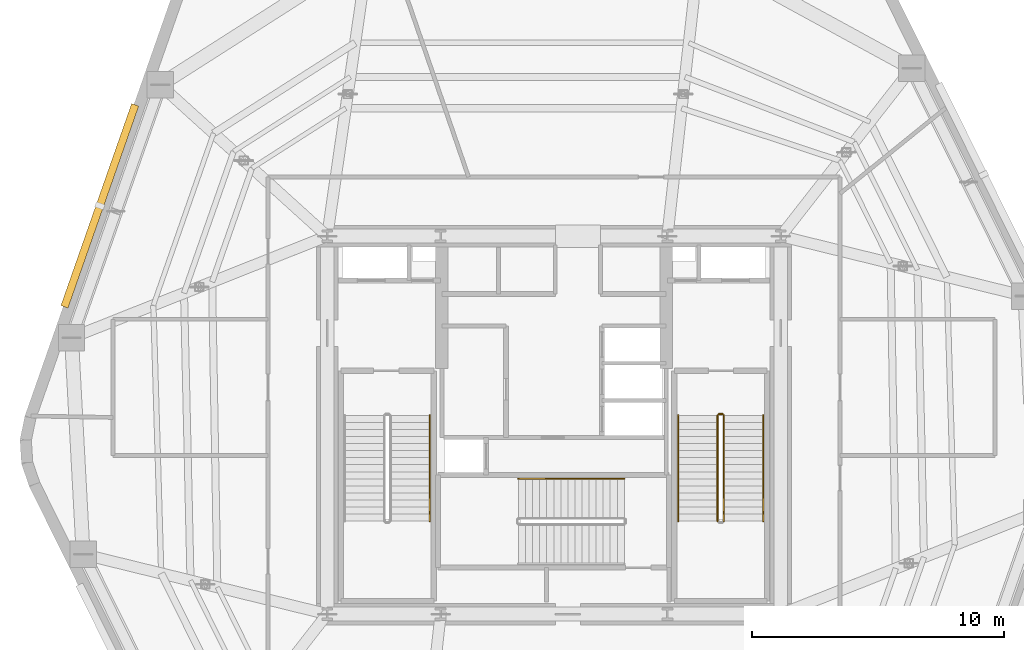
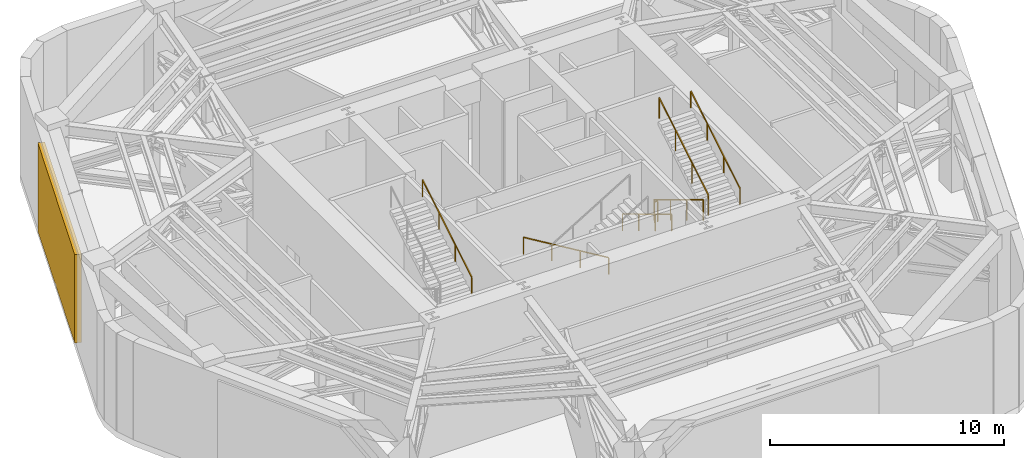
# One storey, part 9 of 10: 7 railings, 1 shading device.
"""IFC4 building model written with IfcOpenShell, lengths in metres."""

from ifc_helpers import new_model, si_unit, direction, frame, origin, origin_2d, place, context, subcontext, project, spatial, rectangle, extrude, material, layer, layer_set, type_object, element, save


model = new_model("IFC4")

# Units and contexts
model_context = context("Model", 3, precision=1e-05, world=origin(), true_north=direction((0.0, 1.0)))
body_context = subcontext(model_context, "Body", "Model", "MODEL_VIEW")
ifc_project = project(units=[si_unit("LENGTHUNIT", "METRE"), si_unit("AREAUNIT", "SQUARE_METRE"), si_unit("VOLUMEUNIT", "CUBIC_METRE"), si_unit("PLANEANGLEUNIT", "RADIAN"), si_unit("MASSUNIT", "GRAM", prefix="KILO")], contexts=[model_context])

# Site, building, storey
site_placement = place(None, origin())
site = spatial("IfcSite", under=ifc_project, at=site_placement, CompositionType="ELEMENT")
building_placement = place(site_placement, origin())
building = spatial("IfcBuilding", under=site, at=building_placement, Name="Kilnhurst Terrace Hotel", CompositionType="ELEMENT")
storey_placement = place(building_placement, frame((0.0, 0.0, 170.199951171875)))
storey = spatial("IfcBuildingStorey", under=building, at=storey_placement, Name="L42", CompositionType="ELEMENT", Elevation=170.199951171875)

# Railings
ifc_material_1 = material(Name="Powder-Coated Steel ASTM A500 Grade B", Category="steel")
ifc_layer_1 = layer(ifc_material_1, 0.050048828125, Name="Powder-Coated Steel ASTM A500 Grade B")
ifc_layer_set_1 = layer_set([ifc_layer_1], Name="Powder-Coated Steel ASTM A500 Grade B")
railing_type_1 = type_object("IfcRailingType", Name="RLG-ST-GRD-1100", PredefinedType="GUARDRAIL", material=ifc_layer_set_1)
railing_1_placement = place(storey_placement, frame((6.489990234375, 0.389892578125, 0.168701171875)))
element("IfcRailing", 1, at=railing_1_placement, inside=storey, type_object=railing_type_1, Name="L42 ST-2 stair guard 1", PredefinedType="GUARDRAIL", context=body_context, shape_type="SweptSolid", body=[
    extrude(rectangle(XDim=0.048095703125, YDim=0.048095703125, at=origin_2d()), frame((0.0, 0.0, 1.076171875), z_axis=(0.0, -0.856476492594, 0.516186030065), x_axis=(1.0, 0.0, 0.0)), (0.0, 0.0, 1.0), 4.90380859375),
    extrude(rectangle(XDim=0.0419921875, YDim=0.0419921875, at=origin_2d()), origin(), (0.0, 0.0, 1.0), 1.052001953125),
    extrude(rectangle(XDim=0.0419921875, YDim=0.0419921875, at=origin_2d()), frame((0.0, -1.39990234375, 0.84375)), (0.0, 0.0, 1.0), 1.052001953125),
    extrude(rectangle(XDim=0.0419921875, YDim=0.0419921875, at=origin_2d()), frame((0.0, -2.800048828125, 1.6875)), (0.0, 0.0, 1.0), 1.052001953125),
    extrude(rectangle(XDim=0.0419921875, YDim=0.0419921875, at=origin_2d()), frame((0.0, -4.199951171875, 2.53125)), (0.0, 0.0, 1.0), 1.052001953125),
])
railing_2_placement = place(storey_placement, frame((6.739990234375, -3.81005859375, 2.868896484375)))
element("IfcRailing", 2, at=railing_2_placement, inside=storey, type_object=railing_type_1, Name="L42 ST-2 stair guard 3", PredefinedType="GUARDRAIL", context=body_context, shape_type="SweptSolid", body=[
    extrude(rectangle(XDim=0.048095703125, YDim=0.048095703125, at=origin_2d()), frame((0.0, 0.0, 1.076171875), z_axis=(0.0, 0.856476492594, 0.516186030065), x_axis=(-1.0, 0.0, 0.0)), (0.0, 0.0, 1.0), 4.90380859375),
    extrude(rectangle(XDim=0.0419921875, YDim=0.0419921875, at=origin_2d()), origin(), (0.0, 0.0, 1.0), 1.052001953125),
    extrude(rectangle(XDim=0.0419921875, YDim=0.0419921875, at=origin_2d()), frame((0.0, 1.39990234375, 0.84375)), (0.0, 0.0, 1.0), 1.052001953125),
    extrude(rectangle(XDim=0.0419921875, YDim=0.0419921875, at=origin_2d()), frame((0.0, 2.800048828125, 1.6875)), (0.0, 0.0, 1.0), 1.052001953125),
    extrude(rectangle(XDim=0.0419921875, YDim=0.0419921875, at=origin_2d()), frame((0.0, 4.199951171875, 2.53125)), (0.0, 0.0, 1.0), 1.052001953125),
])
railing_3_placement = place(storey_placement, frame((6.5400390625, 0.43994140625, 0.0)))
element("IfcRailing", 3, at=railing_3_placement, inside=storey, type_object=railing_type_1, Name="L42 ST-2 stair guard 4", PredefinedType="GUARDRAIL", context=body_context, shape_type="SweptSolid", body=[
    extrude(rectangle(XDim=0.048095703125, YDim=0.048095703125, at=origin_2d()), frame((0.0, 0.0, 1.076171875), z_axis=(1.0, 0.0, 0.0), x_axis=(0.0, 1.0, 0.0)), (0.0, 0.0, 1.0), 0.14990234375),
    extrude(rectangle(XDim=0.0419921875, YDim=0.0419921875, at=origin_2d()), origin(), (0.0, 0.0, 1.0), 1.052001953125),
    extrude(rectangle(XDim=0.0419921875, YDim=0.0419921875, at=origin_2d()), frame((0.14990234375, 0.0, 0.0)), (0.0, 0.0, 1.0), 1.052001953125),
])
ifc_material_2 = material(Name="Brushed Stainless Steel AISI 304", Category="steel")
ifc_layer_2 = layer(ifc_material_2, 0.048095703125, Name="Brushed Stainless Steel AISI 304")
ifc_layer_set_2 = layer_set([ifc_layer_2], Name="Brushed Stainless Steel AISI 304")
railing_type_2 = type_object("IfcRailingType", Name="RLG-ST-HRL-900", PredefinedType="HANDRAIL", material=ifc_layer_set_2)
railing_4_placement = place(storey_placement, frame((-4.929931640625, -3.81005859375, 2.868896484375)))
element("IfcRailing", 4, at=railing_4_placement, inside=storey, type_object=railing_type_2, Name="L42 ST-1 stair handrail 2", PredefinedType="HANDRAIL", context=body_context, shape_type="SweptSolid", body=[
    extrude(rectangle(XDim=0.048095703125, YDim=0.048095703125, at=origin_2d()), frame((0.0, 0.0, 0.8759765625), z_axis=(0.0, 0.856476492594, 0.516186030065), x_axis=(-1.0, 0.0, 0.0)), (0.0, 0.0, 1.0), 4.90380859375),
    extrude(rectangle(XDim=0.0419921875, YDim=0.0419921875, at=origin_2d()), origin(), (0.0, 0.0, 1.0), 0.851806640625),
    extrude(rectangle(XDim=0.0419921875, YDim=0.0419921875, at=origin_2d()), frame((0.0, 1.39990234375, 0.84375)), (0.0, 0.0, 1.0), 0.851806640625),
    extrude(rectangle(XDim=0.0419921875, YDim=0.0419921875, at=origin_2d()), frame((0.0, 2.800048828125, 1.6875)), (0.0, 0.0, 1.0), 0.851806640625),
    extrude(rectangle(XDim=0.0419921875, YDim=0.0419921875, at=origin_2d()), frame((0.0, 4.199951171875, 2.53125)), (0.0, 0.0, 1.0), 0.851806640625),
])
railing_5_placement = place(storey_placement, frame((4.929931640625, 0.389892578125, 0.168701171875)))
element("IfcRailing", 5, at=railing_5_placement, inside=storey, type_object=railing_type_2, Name="L42 ST-2 stair handrail 1", PredefinedType="HANDRAIL", context=body_context, shape_type="SweptSolid", body=[
    extrude(rectangle(XDim=0.048095703125, YDim=0.048095703125, at=origin_2d()), frame((0.0, 0.0, 0.8759765625), z_axis=(0.0, -0.856476492594, 0.516186030065), x_axis=(1.0, 0.0, 0.0)), (0.0, 0.0, 1.0), 4.90380859375),
    extrude(rectangle(XDim=0.0419921875, YDim=0.0419921875, at=origin_2d()), origin(), (0.0, 0.0, 1.0), 0.851806640625),
    extrude(rectangle(XDim=0.0419921875, YDim=0.0419921875, at=origin_2d()), frame((0.0, -1.39990234375, 0.84375)), (0.0, 0.0, 1.0), 0.851806640625),
    extrude(rectangle(XDim=0.0419921875, YDim=0.0419921875, at=origin_2d()), frame((0.0, -2.800048828125, 1.6875)), (0.0, 0.0, 1.0), 0.851806640625),
    extrude(rectangle(XDim=0.0419921875, YDim=0.0419921875, at=origin_2d()), frame((0.0, -4.199951171875, 2.53125)), (0.0, 0.0, 1.0), 0.851806640625),
])
railing_6_placement = place(storey_placement, frame((8.300048828125, -3.81005859375, 2.868896484375)))
element("IfcRailing", 6, at=railing_6_placement, inside=storey, type_object=railing_type_2, Name="L42 ST-2 stair handrail 2", PredefinedType="HANDRAIL", context=body_context, shape_type="SweptSolid", body=[
    extrude(rectangle(XDim=0.048095703125, YDim=0.048095703125, at=origin_2d()), frame((0.0, 0.0, 0.8759765625), z_axis=(0.0, 0.856476492594, 0.516186030065), x_axis=(-1.0, 0.0, 0.0)), (0.0, 0.0, 1.0), 4.90380859375),
    extrude(rectangle(XDim=0.0419921875, YDim=0.0419921875, at=origin_2d()), origin(), (0.0, 0.0, 1.0), 0.851806640625),
    extrude(rectangle(XDim=0.0419921875, YDim=0.0419921875, at=origin_2d()), frame((0.0, 1.39990234375, 0.84375)), (0.0, 0.0, 1.0), 0.851806640625),
    extrude(rectangle(XDim=0.0419921875, YDim=0.0419921875, at=origin_2d()), frame((0.0, 2.800048828125, 1.6875)), (0.0, 0.0, 1.0), 0.851806640625),
    extrude(rectangle(XDim=0.0419921875, YDim=0.0419921875, at=origin_2d()), frame((0.0, 4.199951171875, 2.53125)), (0.0, 0.0, 1.0), 0.851806640625),
])
railing_7_placement = place(storey_placement, frame((2.7900390625, -2.1298828125, 0.168701171875)))
element("IfcRailing", 7, at=railing_7_placement, inside=storey, type_object=railing_type_2, Name="L42 ST-3 stair handrail 1", PredefinedType="HANDRAIL", context=body_context, shape_type="SweptSolid", body=[
    extrude(rectangle(XDim=0.048095703125, YDim=0.048095703125, at=origin_2d()), frame((0.0, 0.0, 0.8759765625), z_axis=(-0.856476492594, 0.0, 0.516186030065), x_axis=(0.0, -1.0, 0.0)), (0.0, 0.0, 1.0), 4.90380859375),
    extrude(rectangle(XDim=0.0419921875, YDim=0.0419921875, at=origin_2d()), origin(), (0.0, 0.0, 1.0), 0.851806640625),
    extrude(rectangle(XDim=0.0419921875, YDim=0.0419921875, at=origin_2d()), frame((-1.39990234375, 0.0, 0.84375)), (0.0, 0.0, 1.0), 0.851806640625),
    extrude(rectangle(XDim=0.0419921875, YDim=0.0419921875, at=origin_2d()), frame((-2.800048828125, 0.0, 1.6875)), (0.0, 0.0, 1.0), 0.851806640625),
    extrude(rectangle(XDim=0.0419921875, YDim=0.0419921875, at=origin_2d()), frame((-4.199951171875, 0.0, 2.53125)), (0.0, 0.0, 1.0), 0.851806640625),
])

# Shading device
ifc_material_3 = material(Name="Bronze Anodized Extruded Aluminium Alloy 6063-T6", Category="aluminium")
ifc_layer_3 = layer(ifc_material_3, 0.300048828125, Name="Bronze Anodized Extruded Aluminium Alloy 6063-T6")
ifc_layer_set_3 = layer_set([ifc_layer_3], Name="Bronze Anodized Extruded Aluminium Alloy 6063-T6")
shading_device_type = type_object("IfcShadingDeviceType", Name="SHD-LVR-4600", PredefinedType="USERDEFINED", material=ifc_layer_set_3)
shading_device_placement = place(storey_placement, frame((-18.0244140625, 8.703369140625, 0.25), z_axis=(0.0, 0.0, 1.0), x_axis=(-0.330432029284, -0.943829790811, 0.0)))
element("IfcShadingDevice", 8, at=shading_device_placement, inside=storey, type_object=shading_device_type, Name="L42 Mechanical Intake Storm Louvre F5", ObjectType="LOUVRE", PredefinedType="USERDEFINED", context=body_context, shape_type="SweptSolid", body=[
    extrude(rectangle(XDim=8.490966796875, YDim=0.300048828125, at=origin_2d()), origin(), (0.0, 0.0, 1.0), 4.60009765625),
])

save(model, "model.ifc")
